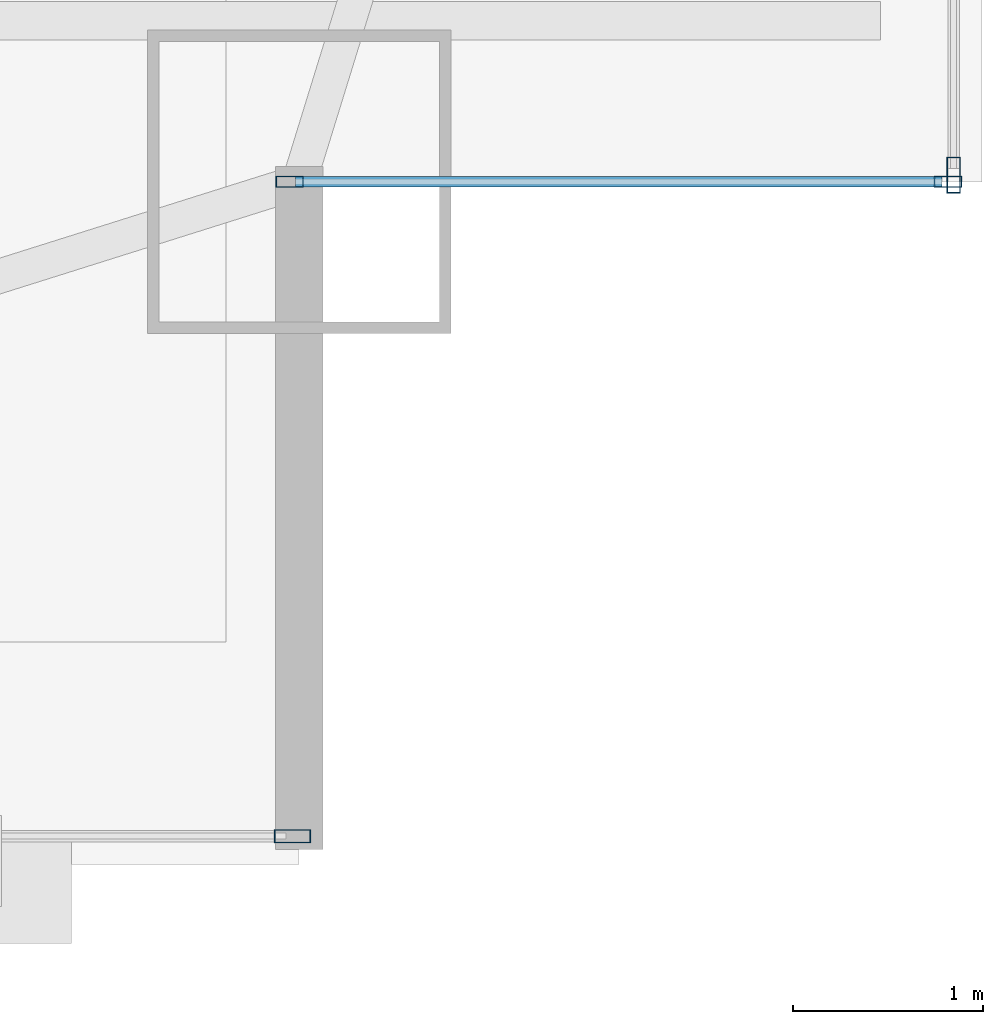
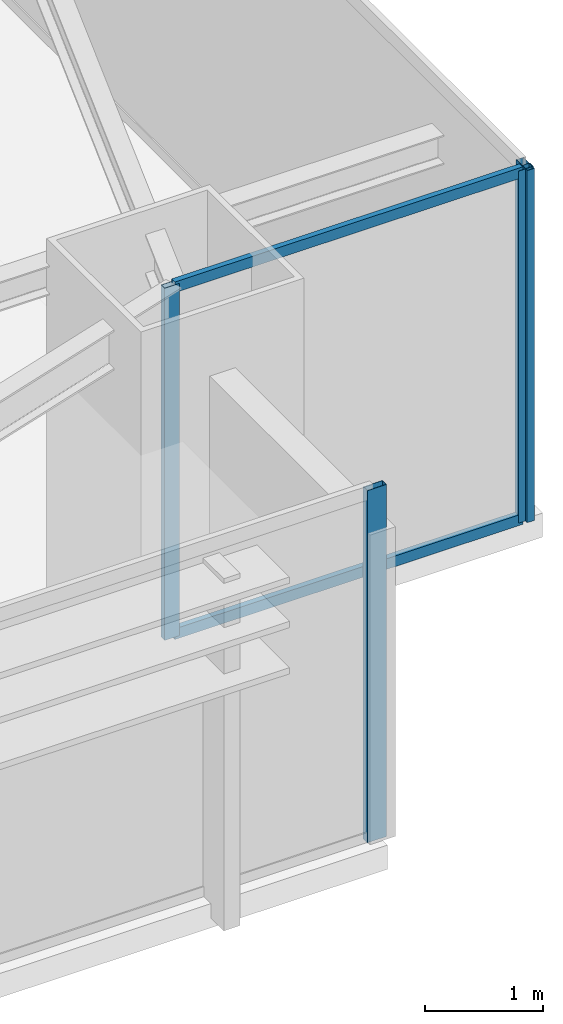
# One storey, part 14 of 31: 6 members, 3 elements without a shape of their own.
"""IFC4 building model written with IfcOpenShell, lengths in metres."""

from ifc_helpers import new_model, si_unit, direction, frame, origin, origin_2d, place, context, subcontext, project, spatial, hollow_rectangle, extrude, source, transform, mapped, material, layer, layer_set, material_profile, profile_set, type_object, type_shapes, element, aggregate, save


model = new_model("IFC4")

# Units and contexts
model_context = context("Model", 3, precision=1e-05, world=origin(), true_north=direction((0.0, 1.0)))
body_context = subcontext(model_context, "Body", "Model", "MODEL_VIEW")
ifc_project = project(units=[si_unit("LENGTHUNIT", "METRE"), si_unit("AREAUNIT", "SQUARE_METRE"), si_unit("VOLUMEUNIT", "CUBIC_METRE"), si_unit("PLANEANGLEUNIT", "RADIAN"), si_unit("MASSUNIT", "GRAM", prefix="KILO")], contexts=[model_context])

# Site, building, storey
site_placement = place(None, origin())
site = spatial("IfcSite", under=ifc_project, at=site_placement, CompositionType="ELEMENT")
building_placement = place(site_placement, origin())
building = spatial("IfcBuilding", under=site, at=building_placement, Name="Varnel Quay Broadcast Tower", CompositionType="ELEMENT")
storey_placement = place(building_placement, frame((0.0, 0.0, 39.300048828125)))
storey = spatial("IfcBuildingStorey", under=building, at=storey_placement, Name="L08", CompositionType="ELEMENT", Elevation=39.300048828125)

# Curtain wall, member
ifc_material = material(Name="Anodised Bronze Aluminium 6063-T6", Category="aluminium")
ifc_layer_1 = layer(ifc_material, 0.18994140625, Name="Anodised Bronze Aluminium 6063-T6")
ifc_layer_set_1 = layer_set([ifc_layer_1], Name="Anodised Bronze Aluminium 6063-T6")
curtain_wall_type_1 = type_object("IfcCurtainWallType", Name="CW_LowerTower", PredefinedType="NOTDEFINED", material=ifc_layer_set_1)
curtain_wall_1_placement = place(storey_placement, origin())
curtain_wall_1 = element("IfcCurtainWall", 1, at=curtain_wall_1_placement, inside=storey, type_object=curtain_wall_type_1, Name="L08 South Unitised Curtain Wall 3", PredefinedType="NOTDEFINED")
ifc_material_profile_1 = material_profile(ifc_material, hollow_rectangle(XDim=0.070068359375, YDim=0.18994140625, WallThickness=0.00390625, at=origin_2d()), Name="ALU70X190X4")
ifc_profile_set_1 = profile_set([ifc_material_profile_1], Name="Anodised Bronze Aluminium 6063-T6")
member_type_1 = type_object("IfcMemberType", Name="Mull_CWS-02", PredefinedType="MULLION", material=ifc_profile_set_1)
shared_shape_1 = source(origin(), body_context, "Body", "SweptSolid", [
    extrude(hollow_rectangle(XDim=0.070068359375, YDim=0.18994140625, WallThickness=0.00390625, at=origin_2d()), origin(), (0.0, 0.0, 1.0), 3.64990234375),
])
type_shapes(member_type_1, [shared_shape_1])
member_1_placement = place(storey_placement, frame((62.364990234375, 1.35009765625, 0.0), z_axis=(0.0, 0.0, 1.0), x_axis=(0.0, 1.0, 0.0)))
member_1 = element("IfcMember", 2, at=member_1_placement, type_object=member_type_1, Name="CWS-02 mullion 2", PredefinedType="MULLION", context=body_context, shape_type="MappedRepresentation", body=[
    mapped(shared_shape_1, transform((0.0, 0.0, 0.0), x_axis=(1.0, 0.0, 0.0), y_axis=(0.0, 1.0, 0.0), z_axis=(0.0, 0.0, 1.0), scale=1.0)),
])
aggregate(curtain_wall_1, [member_1])

curtain_wall_2_placement = place(storey_placement, origin())
curtain_wall_2 = element("IfcCurtainWall", 3, at=curtain_wall_2_placement, inside=storey, type_object=curtain_wall_type_1, Name="L08 East Unitised Curtain Wall", PredefinedType="NOTDEFINED")
member_2_placement = place(storey_placement, frame((65.85009765625, 4.8349609375, 0.0), z_axis=(0.0, 0.0, 1.0), x_axis=(-1.0, 0.0, 0.0)))
member_2 = element("IfcMember", 4, at=member_2_placement, type_object=member_type_1, Name="CWS-02 mullion 1", PredefinedType="MULLION", context=body_context, shape_type="MappedRepresentation", body=[
    mapped(shared_shape_1, transform((0.0, 0.0, 0.0), x_axis=(1.0, 0.0, 0.0), y_axis=(0.0, 1.0, 0.0), z_axis=(0.0, 0.0, 1.0), scale=1.0)),
])
aggregate(curtain_wall_2, [member_2])

# Curtain wall, members
ifc_layer_2 = layer(ifc_material, 0.18994140625, Name="Anodised Bronze Aluminium 6063-T6")
ifc_layer_set_2 = layer_set([ifc_layer_2], Name="Anodised Bronze Aluminium 6063-T6")
curtain_wall_type_2 = type_object("IfcCurtainWallType", Name="CW_NotchCorner", PredefinedType="NOTDEFINED", material=ifc_layer_set_2)
curtain_wall_3_placement = place(storey_placement, origin())
curtain_wall_3 = element("IfcCurtainWall", 5, at=curtain_wall_3_placement, inside=storey, type_object=curtain_wall_type_2, Name="L08 SE Notch Curtain Wall", PredefinedType="NOTDEFINED")
ifc_material_profile_2 = material_profile(ifc_material, hollow_rectangle(XDim=0.06005859375, YDim=0.14501953125, WallThickness=0.00341796875, at=origin_2d()), Name="ALU60X145X3.5")
ifc_profile_set_2 = profile_set([ifc_material_profile_2], Name="Anodised Bronze Aluminium 6063-T6")
member_type_2 = type_object("IfcMemberType", Name="Mull_CWS-04", PredefinedType="MULLION", material=ifc_profile_set_2)
shared_shape_2 = source(origin(), body_context, "Body", "SweptSolid", [
    extrude(hollow_rectangle(XDim=0.06005859375, YDim=0.14501953125, WallThickness=0.00341796875, at=origin_2d()), origin(), (0.0, 0.0, 1.0), 3.64990234375),
])
type_shapes(member_type_2, [shared_shape_2])
member_3_placement = place(storey_placement, frame((62.35009765625, 4.800048828125, 0.0), z_axis=(0.0, 0.0, 1.0), x_axis=(0.0, 1.0, 0.0)))
member_3 = element("IfcMember", 6, at=member_3_placement, type_object=member_type_2, Name="CWS-04 mullion 1", PredefinedType="MULLION", context=body_context, shape_type="MappedRepresentation", body=[
    mapped(shared_shape_2, transform((0.0, 0.0, 0.0), x_axis=(1.0, 0.0, 0.0), y_axis=(0.0, 1.0, 0.0), z_axis=(0.0, 0.0, 1.0), scale=1.0)),
])
member_4_placement = place(storey_placement, frame((65.820068359375, 4.800048828125, 0.0), z_axis=(0.0, 0.0, 1.0), x_axis=(0.0, 1.0, 0.0)))
member_4 = element("IfcMember", 7, at=member_4_placement, type_object=member_type_2, Name="CWS-04 mullion 2", PredefinedType="MULLION", context=body_context, shape_type="MappedRepresentation", body=[
    mapped(shared_shape_2, transform((0.0, 0.0, 0.0), x_axis=(1.0, 0.0, 0.0), y_axis=(0.0, 1.0, 0.0), z_axis=(0.0, 0.0, 1.0), scale=1.0)),
])
ifc_material_profile_3 = material_profile(ifc_material, hollow_rectangle(XDim=0.054931640625, YDim=0.110107421875, WallThickness=0.0029296875, at=origin_2d()), Name="ALU55X110X3")
ifc_profile_set_3 = profile_set([ifc_material_profile_3], Name="Anodised Bronze Aluminium 6063-T6")
member_type_3 = type_object("IfcMemberType", Name="Tran_CWS-04", PredefinedType="USERDEFINED", material=ifc_profile_set_3)
shared_shape_3 = source(origin(), body_context, "Body", "SweptSolid", [
    extrude(hollow_rectangle(XDim=0.054931640625, YDim=0.110107421875, WallThickness=0.0029296875, at=origin_2d()), origin(), (0.0, 0.0, 1.0), 3.41015625),
])
type_shapes(member_type_3, [shared_shape_3])
member_5_placement = place(storey_placement, frame((62.3798828125, 4.800048828125, 0.02734375), z_axis=(1.0, 0.0, 0.0), x_axis=(0.0, 1.0, 0.0)))
member_5 = element("IfcMember", 8, at=member_5_placement, type_object=member_type_3, Name="CWS-04 transom 1.1", ObjectType="TRANSOM", PredefinedType="USERDEFINED", context=body_context, shape_type="MappedRepresentation", body=[
    mapped(shared_shape_3, transform((0.0, 0.0, 0.0), x_axis=(1.0, 0.0, 0.0), y_axis=(0.0, 1.0, 0.0), z_axis=(0.0, 0.0, 1.0), scale=1.0)),
])
member_6_placement = place(storey_placement, frame((62.3798828125, 4.800048828125, 3.62255859375), z_axis=(1.0, 0.0, 0.0), x_axis=(0.0, 1.0, 0.0)))
member_6 = element("IfcMember", 9, at=member_6_placement, type_object=member_type_3, Name="CWS-04 transom 1.2", ObjectType="TRANSOM", PredefinedType="USERDEFINED", context=body_context, shape_type="MappedRepresentation", body=[
    mapped(shared_shape_3, transform((0.0, 0.0, 0.0), x_axis=(1.0, 0.0, 0.0), y_axis=(0.0, 1.0, 0.0), z_axis=(0.0, 0.0, 1.0), scale=1.0)),
])
aggregate(curtain_wall_3, [member_3, member_4, member_5, member_6])

save(model, "model.ifc")
